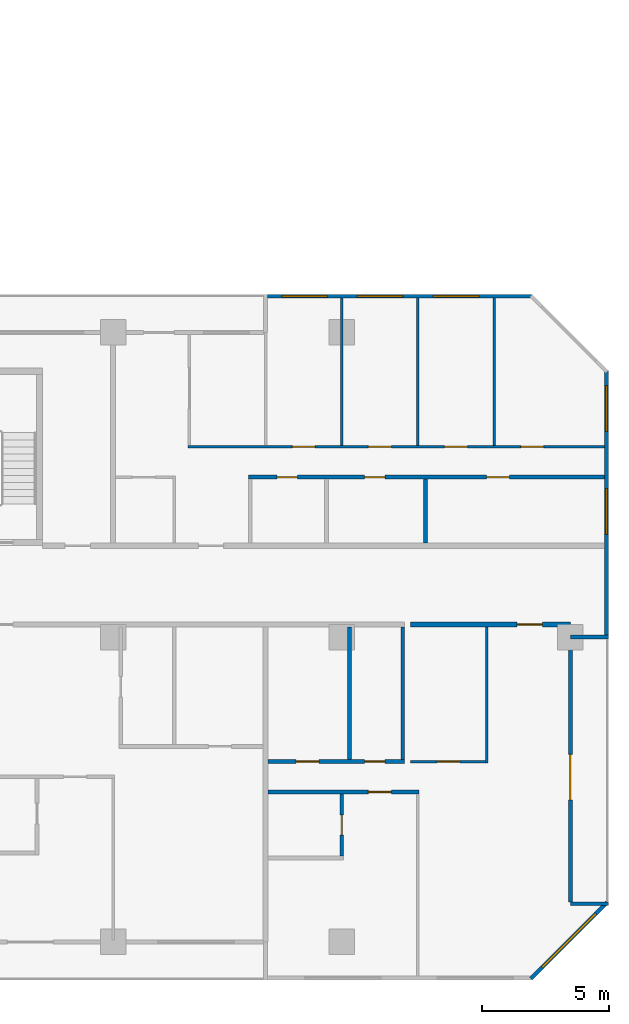
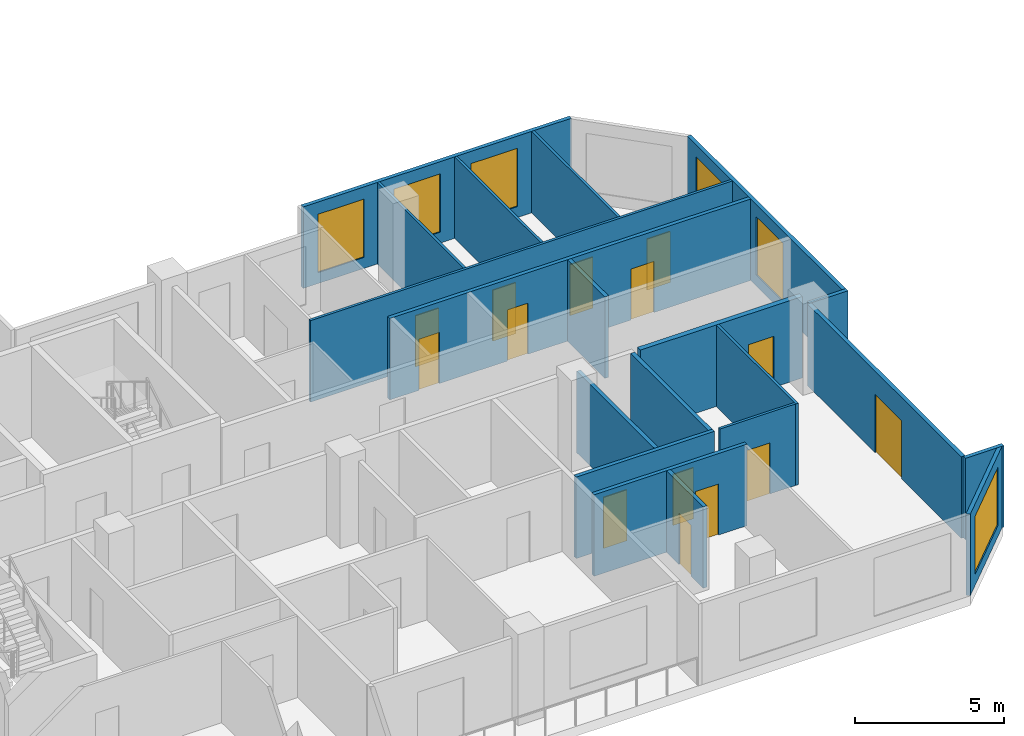
# One storey, part 12 of 15: 20 walls, 14 doors, 6 windows, 20 openings.
"""IFC4 building model written with IfcOpenShell, lengths in metres."""

from ifc_helpers import new_model, si_unit, direction, frame, frame_2d, origin, place, context, subcontext, project, spatial, rectangle, extrude, material, layer, layer_set, type_object, element, fill, save


model = new_model("IFC4")

# Units and contexts
model_context = context("Model", 3, precision=1e-05, world=origin(), true_north=direction((0.0, 1.0)))
body_context = subcontext(model_context, "Body", "Model", "MODEL_VIEW")
ifc_project = project(units=[si_unit("LENGTHUNIT", "METRE"), si_unit("AREAUNIT", "SQUARE_METRE"), si_unit("VOLUMEUNIT", "CUBIC_METRE"), si_unit("PLANEANGLEUNIT", "RADIAN"), si_unit("MASSUNIT", "GRAM", prefix="KILO")], contexts=[model_context])

# Site, building, storey
site_placement = place(None, origin())
site = spatial("IfcSite", under=ifc_project, at=site_placement, CompositionType="ELEMENT")
building_placement = place(site_placement, origin())
building = spatial("IfcBuilding", under=site, at=building_placement, Name="Chenar Terraces", CompositionType="ELEMENT")
storey_placement = place(building_placement, frame((0.0, 0.0, 95.64990234375)))
storey = spatial("IfcBuildingStorey", under=building, at=storey_placement, Name="L21", CompositionType="ELEMENT", Elevation=95.64990234375)

# Wall, opening, door
ifc_material_1 = material(Name="Gypsum board on steel studs with fire boards", Category="steel")
ifc_layer_1 = layer(ifc_material_1, 0.199951171875)
ifc_layer_set_1 = layer_set([ifc_layer_1], Name="Gypsum board on steel studs with fire boards")
wall_type_1 = type_object("IfcWallType", Name="Corridor wall 200", PredefinedType="PARTITIONING", material=ifc_layer_set_1)
wall_1_placement = place(storey_placement, frame((65.699951171875, 12.5, 0.0), z_axis=(0.0, 0.0, 1.0), x_axis=(1.0, 0.0, 0.0)))
wall_1 = element("IfcWall", 1, at=wall_1_placement, inside=storey, type_object=wall_type_1, Name="Partition L21-104", PredefinedType="PARTITIONING", context=body_context, shape_type="SweptSolid", body=[
    extrude(rectangle(XDim=6.300048828125, YDim=0.199951171875, at=frame_2d((3.14990234375, 0.0))), origin(), (0.0, 0.0, 1.0), 3.35009765625),
])
opening_1_placement = place(wall_1_placement, frame((4.199951171875, 0.0, 0.0)))
opening_1 = element("IfcOpeningElement", 2, at=opening_1_placement, cuts=wall_1, Name="Opening DL21-23", PredefinedType="OPENING", context=body_context, shape_type="SweptSolid", body=[
    extrude(rectangle(XDim=1.0, YDim=2.10009765625, at=frame_2d((0.5, 1.050048828125))), frame((0.0, 0.10986328125, 0.0), z_axis=(0.0, -1.0, 0.0), x_axis=(1.0, 0.0, 0.0)), (0.0, 0.0, 1.0), 0.219970703125),
])
ifc_material_2 = material(Name="Steel-framed fire-resisting door leaf", Category="steel")
door_type_1 = type_object("IfcDoorType", Name="Fire door FD30S 1000 x 2100", OperationType="SINGLE_SWING_LEFT", PredefinedType="DOOR", material=ifc_material_2)
door_1_placement = place(opening_1_placement, frame((1.0, 0.0, 0.0), z_axis=(0.0, 0.0, 1.0), x_axis=(-1.0, 0.0, 0.0)))
door_1 = element("IfcDoor", 3, at=door_1_placement, inside=storey, type_object=door_type_1, Name="Door DL21-23", OperationType="SINGLE_SWING_LEFT", OverallHeight=2.10009765625, OverallWidth=1.0, PredefinedType="DOOR", context=body_context, shape_type="SweptSolid", body=[
    extrude(rectangle(XDim=1.0, YDim=2.10009765625, at=frame_2d((0.5, 1.050048828125))), frame((0.0, 0.02490234375, 0.0), z_axis=(0.0, -1.0, 0.0), x_axis=(1.0, 0.0, 0.0)), (0.0, 0.0, 1.0), 0.050048828125),
])
fill(opening_1, door_1)

# Wall, openings, windows
ifc_material_3 = material(Name="Aluminium framed glazing", Category="aluminium")
ifc_layer_2 = layer(ifc_material_3, 0.14990234375)
ifc_layer_set_2 = layer_set([ifc_layer_2], Name="Aluminium framed glazing")
wall_type_2 = type_object("IfcWallType", Name="Glazed flush facade wall 150", PredefinedType="SOLIDWALL", material=ifc_layer_set_2)
wall_2_placement = place(storey_placement, frame((70.5, 25.425048828125, 0.0), z_axis=(0.0, 0.0, 1.0), x_axis=(-1.0, 0.0, 0.0)))
wall_2 = element("IfcWall", 4, at=wall_2_placement, inside=storey, type_object=wall_type_2, Name="Glazed flush facade wall", PredefinedType="SOLIDWALL", context=body_context, shape_type="SweptSolid", body=[
    extrude(rectangle(XDim=10.425048828125, YDim=0.14990234375, at=frame_2d((5.21240234375, 0.0))), origin(), (0.0, 0.0, 1.0), 3.35009765625),
])
opening_2_placement = place(wall_2_placement, frame((2.10009765625, 0.0, 0.449951171875)))
opening_2 = element("IfcOpeningElement", 5, at=opening_2_placement, cuts=wall_2, Name="Opening W180x240", PredefinedType="OPENING", context=body_context, shape_type="SweptSolid", body=[
    extrude(rectangle(XDim=1.800048828125, YDim=2.39990234375, at=frame_2d((0.89990234375, 1.199951171875))), frame((0.0, 0.0849609375, 0.0), z_axis=(0.0, -1.0, 0.0), x_axis=(1.0, 0.0, 0.0)), (0.0, 0.0, 1.0), 0.169921875),
])
opening_3_placement = place(wall_2_placement, frame((5.10009765625, 0.0, 0.449951171875)))
opening_3 = element("IfcOpeningElement", 6, at=opening_3_placement, cuts=wall_2, Name="Opening W180x240", PredefinedType="OPENING", context=body_context, shape_type="SweptSolid", body=[
    extrude(rectangle(XDim=1.800048828125, YDim=2.39990234375, at=frame_2d((0.89990234375, 1.199951171875))), frame((0.0, 0.0849609375, 0.0), z_axis=(0.0, -1.0, 0.0), x_axis=(1.0, 0.0, 0.0)), (0.0, 0.0, 1.0), 0.169921875),
])
opening_4_placement = place(wall_2_placement, frame((8.0625, 0.0, 0.449951171875)))
opening_4 = element("IfcOpeningElement", 7, at=opening_4_placement, cuts=wall_2, Name="Opening W180x240", PredefinedType="OPENING", context=body_context, shape_type="SweptSolid", body=[
    extrude(rectangle(XDim=1.800048828125, YDim=2.39990234375, at=frame_2d((0.89990234375, 1.199951171875))), frame((0.0, 0.0849609375, 0.0), z_axis=(0.0, -1.0, 0.0), x_axis=(1.0, 0.0, 0.0)), (0.0, 0.0, 1.0), 0.169921875),
])
ifc_material_4 = material(Name="Low emissivity double glazing, aluminium frame", Category="aluminium")
window_type_1 = type_object("IfcWindowType", Name="Fixed light 1800 x 2400", PartitioningType="SINGLE_PANEL", PredefinedType="WINDOW", material=ifc_material_4)
window_1_placement = place(opening_2_placement, origin())
window_1 = element("IfcWindow", 8, at=window_1_placement, inside=storey, type_object=window_type_1, Name="Window", OverallHeight=2.39990234375, OverallWidth=1.800048828125, PartitioningType="SINGLE_PANEL", PredefinedType="WINDOW", context=body_context, shape_type="SweptSolid", body=[
    extrude(rectangle(XDim=1.800048828125, YDim=2.39990234375, at=frame_2d((0.89990234375, 1.199951171875))), frame((0.0, 0.030029296875, 0.0), z_axis=(0.0, -1.0, 0.0), x_axis=(1.0, 0.0, 0.0)), (0.0, 0.0, 1.0), 0.06005859375),
])
fill(opening_2, window_1)
window_2_placement = place(opening_3_placement, origin())
window_2 = element("IfcWindow", 9, at=window_2_placement, inside=storey, type_object=window_type_1, Name="Window", OverallHeight=2.39990234375, OverallWidth=1.800048828125, PartitioningType="SINGLE_PANEL", PredefinedType="WINDOW", context=body_context, shape_type="SweptSolid", body=[
    extrude(rectangle(XDim=1.800048828125, YDim=2.39990234375, at=frame_2d((0.89990234375, 1.199951171875))), frame((0.0, 0.030029296875, 0.0), z_axis=(0.0, -1.0, 0.0), x_axis=(1.0, 0.0, 0.0)), (0.0, 0.0, 1.0), 0.06005859375),
])
fill(opening_3, window_2)
window_3_placement = place(opening_4_placement, origin())
window_3 = element("IfcWindow", 10, at=window_3_placement, inside=storey, type_object=window_type_1, Name="Window", OverallHeight=2.39990234375, OverallWidth=1.800048828125, PartitioningType="SINGLE_PANEL", PredefinedType="WINDOW", context=body_context, shape_type="SweptSolid", body=[
    extrude(rectangle(XDim=1.800048828125, YDim=2.39990234375, at=frame_2d((0.89990234375, 1.199951171875))), frame((0.0, 0.030029296875, 0.0), z_axis=(0.0, -1.0, 0.0), x_axis=(1.0, 0.0, 0.0)), (0.0, 0.0, 1.0), 0.06005859375),
])
fill(opening_4, window_3)

wall_3_placement = place(storey_placement, frame((73.425048828125, 12.074951171875, 0.0), z_axis=(0.0, 0.0, 1.0), x_axis=(0.0, 1.0, 0.0)))
wall_3 = element("IfcWall", 11, at=wall_3_placement, inside=storey, type_object=wall_type_2, Name="Glazed flush facade wall", PredefinedType="SOLIDWALL", context=body_context, shape_type="SweptSolid", body=[
    extrude(rectangle(XDim=10.425048828125, YDim=0.14990234375, at=frame_2d((5.21240234375, 0.0))), origin(), (0.0, 0.0, 1.0), 3.35009765625),
])
opening_5_placement = place(wall_3_placement, frame((3.97509765625, 0.0, 0.449951171875)))
opening_5 = element("IfcOpeningElement", 12, at=opening_5_placement, cuts=wall_3, Name="Opening W180x240", PredefinedType="OPENING", context=body_context, shape_type="SweptSolid", body=[
    extrude(rectangle(XDim=1.800048828125, YDim=2.39990234375, at=frame_2d((0.89990234375, 1.199951171875))), frame((0.0, 0.0849609375, 0.0), z_axis=(0.0, -1.0, 0.0), x_axis=(1.0, 0.0, 0.0)), (0.0, 0.0, 1.0), 0.169921875),
])
opening_6_placement = place(wall_3_placement, frame((8.02490234375, 0.0, 0.449951171875)))
opening_6 = element("IfcOpeningElement", 13, at=opening_6_placement, cuts=wall_3, Name="Opening W180x240", PredefinedType="OPENING", context=body_context, shape_type="SweptSolid", body=[
    extrude(rectangle(XDim=1.800048828125, YDim=2.39990234375, at=frame_2d((0.89990234375, 1.199951171875))), frame((0.0, 0.0849609375, 0.0), z_axis=(0.0, -1.0, 0.0), x_axis=(1.0, 0.0, 0.0)), (0.0, 0.0, 1.0), 0.169921875),
])
window_4_placement = place(opening_5_placement, origin())
window_4 = element("IfcWindow", 14, at=window_4_placement, inside=storey, type_object=window_type_1, Name="Window", OverallHeight=2.39990234375, OverallWidth=1.800048828125, PartitioningType="SINGLE_PANEL", PredefinedType="WINDOW", context=body_context, shape_type="SweptSolid", body=[
    extrude(rectangle(XDim=1.800048828125, YDim=2.39990234375, at=frame_2d((0.89990234375, 1.199951171875))), frame((0.0, 0.030029296875, 0.0), z_axis=(0.0, -1.0, 0.0), x_axis=(1.0, 0.0, 0.0)), (0.0, 0.0, 1.0), 0.06005859375),
])
fill(opening_5, window_4)
window_5_placement = place(opening_6_placement, origin())
window_5 = element("IfcWindow", 15, at=window_5_placement, inside=storey, type_object=window_type_1, Name="Window", OverallHeight=2.39990234375, OverallWidth=1.800048828125, PartitioningType="SINGLE_PANEL", PredefinedType="WINDOW", context=body_context, shape_type="SweptSolid", body=[
    extrude(rectangle(XDim=1.800048828125, YDim=2.39990234375, at=frame_2d((0.89990234375, 1.199951171875))), frame((0.0, 0.030029296875, 0.0), z_axis=(0.0, -1.0, 0.0), x_axis=(1.0, 0.0, 0.0)), (0.0, 0.0, 1.0), 0.06005859375),
])
fill(opening_6, window_5)

# Wall, opening, door
ifc_material_5 = material(Name="Aluminium framed glazing", Category="aluminium")
ifc_layer_3 = layer(ifc_material_5, 0.14990234375)
ifc_layer_set_3 = layer_set([ifc_layer_3], Name="Aluminium framed glazing")
wall_type_3 = type_object("IfcWallType", Name="Glazed loggia back wall 150", PredefinedType="SOLIDWALL", material=ifc_layer_set_3)
wall_4_placement = place(storey_placement, frame((72.0, 1.574951171875, 0.0), z_axis=(0.0, 0.0, 1.0), x_axis=(0.0, 1.0, 0.0)))
wall_4 = element("IfcWall", 16, at=wall_4_placement, inside=storey, type_object=wall_type_3, Name="Glazed loggia back wall", PredefinedType="SOLIDWALL", context=body_context, shape_type="SweptSolid", body=[
    extrude(rectangle(XDim=10.35009765625, YDim=0.14990234375, at=frame_2d((5.175048828125, 0.0))), origin(), (0.0, 0.0, 1.0), 3.35009765625),
])
opening_7_placement = place(wall_4_placement, frame((4.012451171875, 0.0, 0.0)))
opening_7 = element("IfcOpeningElement", 17, at=opening_7_placement, cuts=wall_4, Name="Opening DL21-G8", PredefinedType="OPENING", context=body_context, shape_type="SweptSolid", body=[
    extrude(rectangle(XDim=1.800048828125, YDim=2.39990234375, at=frame_2d((0.89990234375, 1.199951171875))), frame((0.0, 0.0849609375, 0.0), z_axis=(0.0, -1.0, 0.0), x_axis=(1.0, 0.0, 0.0)), (0.0, 0.0, 1.0), 0.169921875),
])
ifc_material_6 = material(Name="Low emissivity double glazing, aluminium frame", Category="aluminium")
door_type_2 = type_object("IfcDoorType", Name="Loggia glazed double door 1800 x 2400", OperationType="DOUBLE_DOOR_SINGLE_SWING", PredefinedType="DOOR", material=ifc_material_6)
door_2_placement = place(opening_7_placement, frame((1.800048828125, 0.0, 0.0), z_axis=(0.0, 0.0, 1.0), x_axis=(-1.0, 0.0, 0.0)))
door_2 = element("IfcDoor", 18, at=door_2_placement, inside=storey, type_object=door_type_2, Name="Loggia glazed door", OperationType="DOUBLE_DOOR_SINGLE_SWING", OverallHeight=2.39990234375, OverallWidth=1.800048828125, PredefinedType="DOOR", context=body_context, shape_type="SweptSolid", body=[
    extrude(rectangle(XDim=1.800048828125, YDim=2.39990234375, at=frame_2d((0.89990234375, 1.199951171875))), frame((0.0, 0.02490234375, 0.0), z_axis=(0.0, -1.0, 0.0), x_axis=(1.0, 0.0, 0.0)), (0.0, 0.0, 1.0), 0.050048828125),
])
fill(opening_7, door_2)

# Wall, openings, doors
ifc_material_7 = material(Name="Gypsum board on steel studs", Category="steel")
ifc_layer_4 = layer(ifc_material_7, 0.10009765625)
ifc_layer_set_4 = layer_set([ifc_layer_4], Name="Gypsum board on steel studs")
wall_type_4 = type_object("IfcWallType", Name="Gypsum partition 100", PredefinedType="PARTITIONING", material=ifc_layer_set_4)
wall_5_placement = place(storey_placement, frame((56.949951171875, 19.5, 0.0), z_axis=(0.0, 0.0, 1.0), x_axis=(1.0, 0.0, 0.0)))
wall_5 = element("IfcWall", 19, at=wall_5_placement, inside=storey, type_object=wall_type_4, Name="Partition L21-089", PredefinedType="PARTITIONING", context=body_context, shape_type="SweptSolid", body=[
    extrude(rectangle(XDim=16.400146484375, YDim=0.10009765625, at=frame_2d((8.2001953125, 0.0))), origin(), (0.0, 0.0, 1.0), 3.35009765625),
])
opening_8_placement = place(wall_5_placement, frame((4.10009765625, 0.0, 0.0)))
opening_8 = element("IfcOpeningElement", 20, at=opening_8_placement, cuts=wall_5, Name="Opening DL21-5", PredefinedType="OPENING", context=body_context, shape_type="SweptSolid", body=[
    extrude(rectangle(XDim=0.89990234375, YDim=2.10009765625, at=frame_2d((0.449951171875, 1.050048828125))), frame((0.0, 0.06005859375, 0.0), z_axis=(0.0, -1.0, 0.0), x_axis=(1.0, 0.0, 0.0)), (0.0, 0.0, 1.0), 0.1201171875),
])
opening_9_placement = place(wall_5_placement, frame((7.10009765625, 0.0, 0.0)))
opening_9 = element("IfcOpeningElement", 21, at=opening_9_placement, cuts=wall_5, Name="Opening DL21-6", PredefinedType="OPENING", context=body_context, shape_type="SweptSolid", body=[
    extrude(rectangle(XDim=0.89990234375, YDim=2.10009765625, at=frame_2d((0.449951171875, 1.050048828125))), frame((0.0, 0.06005859375, 0.0), z_axis=(0.0, -1.0, 0.0), x_axis=(1.0, 0.0, 0.0)), (0.0, 0.0, 1.0), 0.1201171875),
])
opening_10_placement = place(wall_5_placement, frame((10.10009765625, 0.0, 0.0)))
opening_10 = element("IfcOpeningElement", 22, at=opening_10_placement, cuts=wall_5, Name="Opening DL21-7", PredefinedType="OPENING", context=body_context, shape_type="SweptSolid", body=[
    extrude(rectangle(XDim=0.89990234375, YDim=2.10009765625, at=frame_2d((0.449951171875, 1.050048828125))), frame((0.0, 0.06005859375, 0.0), z_axis=(0.0, -1.0, 0.0), x_axis=(1.0, 0.0, 0.0)), (0.0, 0.0, 1.0), 0.1201171875),
])
opening_11_placement = place(wall_5_placement, frame((13.10009765625, 0.0, 0.0)))
opening_11 = element("IfcOpeningElement", 23, at=opening_11_placement, cuts=wall_5, Name="Opening DL21-12", PredefinedType="OPENING", context=body_context, shape_type="SweptSolid", body=[
    extrude(rectangle(XDim=0.89990234375, YDim=2.10009765625, at=frame_2d((0.449951171875, 1.050048828125))), frame((0.0, 0.06005859375, 0.0), z_axis=(0.0, -1.0, 0.0), x_axis=(1.0, 0.0, 0.0)), (0.0, 0.0, 1.0), 0.1201171875),
])
ifc_material_8 = material(Name="Veneered timber door leaf", Category="wood")
door_type_3 = type_object("IfcDoorType", Name="Door 900 x 2100", OperationType="SINGLE_SWING_LEFT", PredefinedType="DOOR", material=ifc_material_8)
door_3_placement = place(opening_8_placement, origin())
door_3 = element("IfcDoor", 24, at=door_3_placement, inside=storey, type_object=door_type_3, Name="Door DL21-5", OperationType="SINGLE_SWING_LEFT", OverallHeight=2.10009765625, OverallWidth=0.89990234375, PredefinedType="DOOR", context=body_context, shape_type="SweptSolid", body=[
    extrude(rectangle(XDim=0.89990234375, YDim=2.10009765625, at=frame_2d((0.449951171875, 1.050048828125))), frame((0.0, 0.02490234375, 0.0), z_axis=(0.0, -1.0, 0.0), x_axis=(1.0, 0.0, 0.0)), (0.0, 0.0, 1.0), 0.050048828125),
])
fill(opening_8, door_3)
door_4_placement = place(opening_9_placement, origin())
door_4 = element("IfcDoor", 25, at=door_4_placement, inside=storey, type_object=door_type_3, Name="Door DL21-6", OperationType="SINGLE_SWING_LEFT", OverallHeight=2.10009765625, OverallWidth=0.89990234375, PredefinedType="DOOR", context=body_context, shape_type="SweptSolid", body=[
    extrude(rectangle(XDim=0.89990234375, YDim=2.10009765625, at=frame_2d((0.449951171875, 1.050048828125))), frame((0.0, 0.02490234375, 0.0), z_axis=(0.0, -1.0, 0.0), x_axis=(1.0, 0.0, 0.0)), (0.0, 0.0, 1.0), 0.050048828125),
])
fill(opening_9, door_4)
door_5_placement = place(opening_10_placement, origin())
door_5 = element("IfcDoor", 26, at=door_5_placement, inside=storey, type_object=door_type_3, Name="Door DL21-7", OperationType="SINGLE_SWING_LEFT", OverallHeight=2.10009765625, OverallWidth=0.89990234375, PredefinedType="DOOR", context=body_context, shape_type="SweptSolid", body=[
    extrude(rectangle(XDim=0.89990234375, YDim=2.10009765625, at=frame_2d((0.449951171875, 1.050048828125))), frame((0.0, 0.02490234375, 0.0), z_axis=(0.0, -1.0, 0.0), x_axis=(1.0, 0.0, 0.0)), (0.0, 0.0, 1.0), 0.050048828125),
])
fill(opening_10, door_5)
door_6_placement = place(opening_11_placement, origin())
door_6 = element("IfcDoor", 27, at=door_6_placement, inside=storey, type_object=door_type_3, Name="Door DL21-12", OperationType="SINGLE_SWING_LEFT", OverallHeight=2.10009765625, OverallWidth=0.89990234375, PredefinedType="DOOR", context=body_context, shape_type="SweptSolid", body=[
    extrude(rectangle(XDim=0.89990234375, YDim=2.10009765625, at=frame_2d((0.449951171875, 1.050048828125))), frame((0.0, 0.02490234375, 0.0), z_axis=(0.0, -1.0, 0.0), x_axis=(1.0, 0.0, 0.0)), (0.0, 0.0, 1.0), 0.050048828125),
])
fill(opening_11, door_6)

# Wall
wall_6_placement = place(storey_placement, frame((63.0, 19.550048828125, 0.0), z_axis=(0.0, 0.0, 1.0), x_axis=(0.0, 1.0, 0.0)))
element("IfcWall", 28, at=wall_6_placement, inside=storey, type_object=wall_type_4, Name="Partition L21-100", PredefinedType="PARTITIONING", context=body_context, shape_type="SweptSolid", body=[
    extrude(rectangle(XDim=5.801025390625, YDim=0.10009765625, at=frame_2d((2.900390625, 0.0))), origin(), (0.0, 0.0, 1.0), 3.35009765625),
])

# Wall, opening, door
wall_7_placement = place(storey_placement, frame((65.699951171875, 7.10009765625, 0.0), z_axis=(0.0, 0.0, 1.0), x_axis=(1.0, 0.0, 0.0)))
wall_7 = element("IfcWall", 29, at=wall_7_placement, inside=storey, type_object=wall_type_4, Name="Partition L21-103", PredefinedType="PARTITIONING", context=body_context, shape_type="SweptSolid", body=[
    extrude(rectangle(XDim=2.949951171875, YDim=0.10009765625, at=frame_2d((1.47509765625, 0.0))), origin(), (0.0, 0.0, 1.0), 3.35009765625),
])
opening_12_placement = place(wall_7_placement, frame((1.050048828125, 0.0, 0.0)))
opening_12 = element("IfcOpeningElement", 30, at=opening_12_placement, cuts=wall_7, Name="Opening DL21-24", PredefinedType="OPENING", context=body_context, shape_type="SweptSolid", body=[
    extrude(rectangle(XDim=0.89990234375, YDim=2.10009765625, at=frame_2d((0.449951171875, 1.050048828125))), frame((0.0, 0.06005859375, 0.0), z_axis=(0.0, -1.0, 0.0), x_axis=(1.0, 0.0, 0.0)), (0.0, 0.0, 1.0), 0.1201171875),
])
door_7_placement = place(opening_12_placement, origin())
door_7 = element("IfcDoor", 31, at=door_7_placement, inside=storey, type_object=door_type_3, Name="Door DL21-24", OperationType="SINGLE_SWING_RIGHT", OverallHeight=2.10009765625, OverallWidth=0.89990234375, PredefinedType="DOOR", context=body_context, shape_type="SweptSolid", body=[
    extrude(rectangle(XDim=0.89990234375, YDim=2.10009765625, at=frame_2d((0.449951171875, 1.050048828125))), frame((0.0, 0.02490234375, 0.0), z_axis=(0.0, -1.0, 0.0), x_axis=(1.0, 0.0, 0.0)), (0.0, 0.0, 1.0), 0.050048828125),
])
fill(opening_12, door_7)

# Walls
wall_8_placement = place(storey_placement, frame((66.0, 19.550048828125, 0.0), z_axis=(0.0, 0.0, 1.0), x_axis=(0.0, 1.0, 0.0)))
element("IfcWall", 32, at=wall_8_placement, inside=storey, type_object=wall_type_4, Name="Partition L21-106", PredefinedType="PARTITIONING", context=body_context, shape_type="SweptSolid", body=[
    extrude(rectangle(XDim=5.801025390625, YDim=0.10009765625, at=frame_2d((2.900390625, 0.0))), origin(), (0.0, 0.0, 1.0), 3.35009765625),
])
wall_9_placement = place(storey_placement, frame((68.699951171875, 7.050048828125, 0.0), z_axis=(0.0, 0.0, 1.0), x_axis=(0.0, 1.0, 0.0)))
element("IfcWall", 33, at=wall_9_placement, inside=storey, type_object=wall_type_4, Name="Partition L21-108", PredefinedType="PARTITIONING", context=body_context, shape_type="SweptSolid", body=[
    extrude(rectangle(XDim=5.349853515625, YDim=0.10009765625, at=frame_2d((2.6748046875, 0.0))), origin(), (0.0, 0.0, 1.0), 3.35009765625),
])
wall_10_placement = place(storey_placement, frame((69.0, 19.550048828125, 0.0), z_axis=(0.0, 0.0, 1.0), x_axis=(0.0, 1.0, 0.0)))
element("IfcWall", 34, at=wall_10_placement, inside=storey, type_object=wall_type_4, Name="Partition L21-109", PredefinedType="PARTITIONING", context=body_context, shape_type="SweptSolid", body=[
    extrude(rectangle(XDim=5.800048828125, YDim=0.10009765625, at=frame_2d((2.89990234375, 0.0))), origin(), (0.0, 0.0, 1.0), 3.35009765625),
])
ifc_material_9 = material(Name="Terracotta cladding on insulated backing", Category="masonry")
ifc_layer_5 = layer(ifc_material_9, 0.14990234375)
ifc_layer_set_5 = layer_set([ifc_layer_5], Name="Terracotta cladding on insulated backing")
wall_type_5 = type_object("IfcWallType", Name="Loggia return wall 150", PredefinedType="SOLIDWALL", material=ifc_layer_set_5)
for number, where, z_axis, x_axis, name in (
    (35, (73.5, 1.5, 0.0), (0.0, 0.0, 1.0), (-1.0, 0.0, 0.0), "Loggia return wall"),
    (36, (73.5, 12.0, 0.0), (0.0, 0.0, 1.0), (-1.0, 0.0, 0.0), "Loggia return wall"),
):
    element("IfcWall", number, at=place(storey_placement, frame(where, z_axis=z_axis, x_axis=x_axis)), inside=storey, type_object=wall_type_5, Name=name, PredefinedType="SOLIDWALL", context=body_context, shape_type="SweptSolid", body=[
        extrude(rectangle(XDim=1.5, YDim=0.14990234375, at=frame_2d((0.75, 0.0))), origin(), (0.0, 0.0, 1.0), 3.35009765625),
    ])

# Wall, opening, window
ifc_material_10 = material(Name="Terracotta cladding on insulated backing", Category="masonry")
ifc_layer_6 = layer(ifc_material_10, 0.14990234375)
ifc_layer_set_6 = layer_set([ifc_layer_6], Name="Terracotta cladding on insulated backing")
wall_type_6 = type_object("IfcWallType", Name="Terracotta rainscreen wall 150", PredefinedType="SOLIDWALL", material=ifc_layer_set_6)
wall_11_placement = place(storey_placement, frame((70.447021484375, -1.447021484375, 0.0), z_axis=(0.0, 0.0, 1.0), x_axis=(0.707106781187, 0.707106781187, 0.0)))
wall_11 = element("IfcWall", 37, at=wall_11_placement, inside=storey, type_object=wall_type_6, Name="Terracotta rainscreen wall", PredefinedType="SOLIDWALL", context=body_context, shape_type="SweptSolid", body=[
    extrude(rectangle(XDim=4.24267578125, YDim=0.14990234375, at=frame_2d((2.121337890625, 0.0))), origin(), (0.0, 0.0, 1.0), 3.35009765625),
])
opening_13_placement = place(wall_11_placement, frame((0.621337890625, 0.0, 0.449951171875)))
opening_13 = element("IfcOpeningElement", 38, at=opening_13_placement, cuts=wall_11, Name="Opening W300x240", PredefinedType="OPENING", context=body_context, shape_type="SweptSolid", body=[
    extrude(rectangle(XDim=3.0, YDim=2.39990234375, at=frame_2d((1.5, 1.199951171875))), frame((0.0, 0.0849609375, 0.0), z_axis=(0.0, -1.0, 0.0), x_axis=(1.0, 0.0, 0.0)), (0.0, 0.0, 1.0), 0.169921875),
])
ifc_material_11 = material(Name="Low emissivity double glazing, aluminium frame", Category="aluminium")
window_type_2 = type_object("IfcWindowType", Name="Fixed light 3000 x 2400", PartitioningType="SINGLE_PANEL", PredefinedType="WINDOW", material=ifc_material_11)
window_6_placement = place(opening_13_placement, origin())
window_6 = element("IfcWindow", 39, at=window_6_placement, inside=storey, type_object=window_type_2, Name="Window", OverallHeight=2.39990234375, OverallWidth=3.0, PartitioningType="SINGLE_PANEL", PredefinedType="WINDOW", context=body_context, shape_type="SweptSolid", body=[
    extrude(rectangle(XDim=3.0, YDim=2.39990234375, at=frame_2d((1.5, 1.199951171875))), frame((0.0, 0.030029296875, 0.0), z_axis=(0.0, -1.0, 0.0), x_axis=(1.0, 0.0, 0.0)), (0.0, 0.0, 1.0), 0.06005859375),
])
fill(opening_13, window_6)

# Wall, openings, doors
ifc_material_12 = material(Name="Moisture-resistant gypsum board on steel studs", Category="steel")
ifc_layer_7 = layer(ifc_material_12, 0.14990234375)
ifc_layer_set_7 = layer_set([ifc_layer_7], Name="Moisture-resistant gypsum board on steel studs")
wall_type_7 = type_object("IfcWallType", Name="Wet-room partition 150", PredefinedType="PARTITIONING", material=ifc_layer_set_7)
wall_12_placement = place(storey_placement, frame((59.324951171875, 18.300048828125, 0.0), z_axis=(0.0, 0.0, 1.0), x_axis=(1.0, 0.0, 0.0)))
wall_12 = element("IfcWall", 40, at=wall_12_placement, inside=storey, type_object=wall_type_7, Name="Partition L21-091", PredefinedType="PARTITIONING", context=body_context, shape_type="SweptSolid", body=[
    extrude(rectangle(XDim=14.025146484375, YDim=0.14990234375, at=frame_2d((7.0126953125, 0.0))), origin(), (0.0, 0.0, 1.0), 3.35009765625),
])
opening_14_placement = place(wall_12_placement, frame((4.574951171875, 0.0, 0.0)))
opening_14 = element("IfcOpeningElement", 41, at=opening_14_placement, cuts=wall_12, Name="Opening DL21-4", PredefinedType="OPENING", context=body_context, shape_type="SweptSolid", body=[
    extrude(rectangle(XDim=0.800048828125, YDim=2.10009765625, at=frame_2d((0.39990234375, 1.050048828125))), frame((0.0, 0.0849609375, 0.0), z_axis=(0.0, -1.0, 0.0), x_axis=(1.0, 0.0, 0.0)), (0.0, 0.0, 1.0), 0.169921875),
])
opening_15_placement = place(wall_12_placement, frame((9.375, 0.0, 0.0)))
opening_15 = element("IfcOpeningElement", 42, at=opening_15_placement, cuts=wall_12, Name="Opening DL21-8", PredefinedType="OPENING", context=body_context, shape_type="SweptSolid", body=[
    extrude(rectangle(XDim=0.89990234375, YDim=2.10009765625, at=frame_2d((0.449951171875, 1.050048828125))), frame((0.0, 0.0849609375, 0.0), z_axis=(0.0, -1.0, 0.0), x_axis=(1.0, 0.0, 0.0)), (0.0, 0.0, 1.0), 0.169921875),
])
opening_16_placement = place(wall_12_placement, frame((1.125, 0.0, 0.0)))
opening_16 = element("IfcOpeningElement", 43, at=opening_16_placement, cuts=wall_12, Name="Opening DL21-13", PredefinedType="OPENING", context=body_context, shape_type="SweptSolid", body=[
    extrude(rectangle(XDim=0.800048828125, YDim=2.10009765625, at=frame_2d((0.39990234375, 1.050048828125))), frame((0.0, 0.0849609375, 0.0), z_axis=(0.0, -1.0, 0.0), x_axis=(1.0, 0.0, 0.0)), (0.0, 0.0, 1.0), 0.169921875),
])
ifc_material_13 = material(Name="Veneered timber door leaf", Category="wood")
door_type_4 = type_object("IfcDoorType", Name="Door 800 x 2100", OperationType="SINGLE_SWING_LEFT", PredefinedType="DOOR", material=ifc_material_13)
door_8_placement = place(opening_14_placement, frame((0.800048828125, 0.0, 0.0), z_axis=(0.0, 0.0, 1.0), x_axis=(-1.0, 0.0, 0.0)))
door_8 = element("IfcDoor", 44, at=door_8_placement, inside=storey, type_object=door_type_4, Name="Door DL21-4", OperationType="SINGLE_SWING_RIGHT", OverallHeight=2.10009765625, OverallWidth=0.800048828125, PredefinedType="DOOR", context=body_context, shape_type="SweptSolid", body=[
    extrude(rectangle(XDim=0.800048828125, YDim=2.10009765625, at=frame_2d((0.39990234375, 1.050048828125))), frame((0.0, 0.02490234375, 0.0), z_axis=(0.0, -1.0, 0.0), x_axis=(1.0, 0.0, 0.0)), (0.0, 0.0, 1.0), 0.050048828125),
])
fill(opening_14, door_8)
door_9_placement = place(opening_16_placement, frame((0.800048828125, 0.0, 0.0), z_axis=(0.0, 0.0, 1.0), x_axis=(-1.0, 0.0, 0.0)))
door_9 = element("IfcDoor", 45, at=door_9_placement, inside=storey, type_object=door_type_4, Name="Door DL21-13", OperationType="SINGLE_SWING_RIGHT", OverallHeight=2.10009765625, OverallWidth=0.800048828125, PredefinedType="DOOR", context=body_context, shape_type="SweptSolid", body=[
    extrude(rectangle(XDim=0.800048828125, YDim=2.10009765625, at=frame_2d((0.39990234375, 1.050048828125))), frame((0.0, 0.02490234375, 0.0), z_axis=(0.0, -1.0, 0.0), x_axis=(1.0, 0.0, 0.0)), (0.0, 0.0, 1.0), 0.050048828125),
])
fill(opening_16, door_9)
door_10_placement = place(opening_15_placement, frame((0.89990234375, 0.0, 0.0), z_axis=(0.0, 0.0, 1.0), x_axis=(-1.0, 0.0, 0.0)))
door_10 = element("IfcDoor", 46, at=door_10_placement, inside=storey, type_object=door_type_3, Name="Door DL21-8", OperationType="SINGLE_SWING_LEFT", OverallHeight=2.10009765625, OverallWidth=0.89990234375, PredefinedType="DOOR", context=body_context, shape_type="SweptSolid", body=[
    extrude(rectangle(XDim=0.89990234375, YDim=2.10009765625, at=frame_2d((0.449951171875, 1.050048828125))), frame((0.0, 0.02490234375, 0.0), z_axis=(0.0, -1.0, 0.0), x_axis=(1.0, 0.0, 0.0)), (0.0, 0.0, 1.0), 0.050048828125),
])
fill(opening_15, door_10)

# Wall, opening, door
wall_13_placement = place(storey_placement, frame((60.10009765625, 5.89990234375, 0.0), z_axis=(0.0, 0.0, 1.0), x_axis=(1.0, 0.0, 0.0)))
wall_13 = element("IfcWall", 47, at=wall_13_placement, inside=storey, type_object=wall_type_7, Name="Partition L21-096", PredefinedType="PARTITIONING", context=body_context, shape_type="SweptSolid", body=[
    extrude(rectangle(XDim=5.949951171875, YDim=0.14990234375, at=frame_2d((2.97509765625, 0.0))), origin(), (0.0, 0.0, 1.0), 3.35009765625),
])
opening_17_placement = place(wall_13_placement, frame((3.949951171875, 0.0, 0.0)))
opening_17 = element("IfcOpeningElement", 48, at=opening_17_placement, cuts=wall_13, Name="Opening DL21-20", PredefinedType="OPENING", context=body_context, shape_type="SweptSolid", body=[
    extrude(rectangle(XDim=0.89990234375, YDim=2.10009765625, at=frame_2d((0.449951171875, 1.050048828125))), frame((0.0, 0.0849609375, 0.0), z_axis=(0.0, -1.0, 0.0), x_axis=(1.0, 0.0, 0.0)), (0.0, 0.0, 1.0), 0.169921875),
])
door_11_placement = place(opening_17_placement, frame((0.89990234375, 0.0, 0.0), z_axis=(0.0, 0.0, 1.0), x_axis=(-1.0, 0.0, 0.0)))
door_11 = element("IfcDoor", 49, at=door_11_placement, inside=storey, type_object=door_type_3, Name="Door DL21-20", OperationType="SINGLE_SWING_LEFT", OverallHeight=2.10009765625, OverallWidth=0.89990234375, PredefinedType="DOOR", context=body_context, shape_type="SweptSolid", body=[
    extrude(rectangle(XDim=0.89990234375, YDim=2.10009765625, at=frame_2d((0.449951171875, 1.050048828125))), frame((0.0, 0.02490234375, 0.0), z_axis=(0.0, -1.0, 0.0), x_axis=(1.0, 0.0, 0.0)), (0.0, 0.0, 1.0), 0.050048828125),
])
fill(opening_17, door_11)

# Wall, openings, doors
wall_14_placement = place(storey_placement, frame((60.10009765625, 7.10009765625, 0.0), z_axis=(0.0, 0.0, 1.0), x_axis=(1.0, 0.0, 0.0)))
wall_14 = element("IfcWall", 50, at=wall_14_placement, inside=storey, type_object=wall_type_7, Name="Partition L21-097", PredefinedType="PARTITIONING", context=body_context, shape_type="SweptSolid", body=[
    extrude(rectangle(XDim=5.375, YDim=0.14990234375, at=frame_2d((2.6875, 0.0))), origin(), (0.0, 0.0, 1.0), 3.35009765625),
])
opening_18_placement = place(wall_14_placement, frame((3.800048828125, 0.0, 0.0)))
opening_18 = element("IfcOpeningElement", 51, at=opening_18_placement, cuts=wall_14, Name="Opening DL21-19", PredefinedType="OPENING", context=body_context, shape_type="SweptSolid", body=[
    extrude(rectangle(XDim=0.800048828125, YDim=2.10009765625, at=frame_2d((0.39990234375, 1.050048828125))), frame((0.0, 0.0849609375, 0.0), z_axis=(0.0, -1.0, 0.0), x_axis=(1.0, 0.0, 0.0)), (0.0, 0.0, 1.0), 0.169921875),
])
opening_19_placement = place(wall_14_placement, frame((1.10009765625, 0.0, 0.0)))
opening_19 = element("IfcOpeningElement", 52, at=opening_19_placement, cuts=wall_14, Name="Opening DL21-22", PredefinedType="OPENING", context=body_context, shape_type="SweptSolid", body=[
    extrude(rectangle(XDim=0.89990234375, YDim=2.10009765625, at=frame_2d((0.449951171875, 1.050048828125))), frame((0.0, 0.0849609375, 0.0), z_axis=(0.0, -1.0, 0.0), x_axis=(1.0, 0.0, 0.0)), (0.0, 0.0, 1.0), 0.169921875),
])
door_12_placement = place(opening_18_placement, origin())
door_12 = element("IfcDoor", 53, at=door_12_placement, inside=storey, type_object=door_type_4, Name="Door DL21-19", OperationType="SINGLE_SWING_LEFT", OverallHeight=2.10009765625, OverallWidth=0.800048828125, PredefinedType="DOOR", context=body_context, shape_type="SweptSolid", body=[
    extrude(rectangle(XDim=0.800048828125, YDim=2.10009765625, at=frame_2d((0.39990234375, 1.050048828125))), frame((0.0, 0.02490234375, 0.0), z_axis=(0.0, -1.0, 0.0), x_axis=(1.0, 0.0, 0.0)), (0.0, 0.0, 1.0), 0.050048828125),
])
fill(opening_18, door_12)
door_13_placement = place(opening_19_placement, origin())
door_13 = element("IfcDoor", 54, at=door_13_placement, inside=storey, type_object=door_type_3, Name="Door DL21-22", OperationType="SINGLE_SWING_LEFT", OverallHeight=2.10009765625, OverallWidth=0.89990234375, PredefinedType="DOOR", context=body_context, shape_type="SweptSolid", body=[
    extrude(rectangle(XDim=0.89990234375, YDim=2.10009765625, at=frame_2d((0.449951171875, 1.050048828125))), frame((0.0, 0.02490234375, 0.0), z_axis=(0.0, -1.0, 0.0), x_axis=(1.0, 0.0, 0.0)), (0.0, 0.0, 1.0), 0.050048828125),
])
fill(opening_19, door_13)

# Wall, opening, door
wall_15_placement = place(storey_placement, frame((63.0, 3.375, 0.0), z_axis=(0.0, 0.0, 1.0), x_axis=(0.0, 1.0, 0.0)))
wall_15 = element("IfcWall", 55, at=wall_15_placement, inside=storey, type_object=wall_type_7, Name="Partition L21-099", PredefinedType="PARTITIONING", context=body_context, shape_type="SweptSolid", body=[
    extrude(rectangle(XDim=2.449951171875, YDim=0.14990234375, at=frame_2d((1.22509765625, 0.0))), origin(), (0.0, 0.0, 1.0), 3.35009765625),
])
opening_20_placement = place(wall_15_placement, frame((0.824951171875, 0.0, 0.0)))
opening_20 = element("IfcOpeningElement", 56, at=opening_20_placement, cuts=wall_15, Name="Opening DL21-21", PredefinedType="OPENING", context=body_context, shape_type="SweptSolid", body=[
    extrude(rectangle(XDim=0.800048828125, YDim=2.10009765625, at=frame_2d((0.39990234375, 1.050048828125))), frame((0.0, 0.0849609375, 0.0), z_axis=(0.0, -1.0, 0.0), x_axis=(1.0, 0.0, 0.0)), (0.0, 0.0, 1.0), 0.169921875),
])
door_14_placement = place(opening_20_placement, origin())
door_14 = element("IfcDoor", 57, at=door_14_placement, inside=storey, type_object=door_type_4, Name="Door DL21-21", OperationType="SINGLE_SWING_RIGHT", OverallHeight=2.10009765625, OverallWidth=0.800048828125, PredefinedType="DOOR", context=body_context, shape_type="SweptSolid", body=[
    extrude(rectangle(XDim=0.800048828125, YDim=2.10009765625, at=frame_2d((0.39990234375, 1.050048828125))), frame((0.0, 0.02490234375, 0.0), z_axis=(0.0, -1.0, 0.0), x_axis=(1.0, 0.0, 0.0)), (0.0, 0.0, 1.0), 0.050048828125),
])
fill(opening_20, door_14)

# Walls
for number, where, z_axis, x_axis, name in (
    (58, (63.300048828125, 7.175048828125, 0.0), (0.0, 0.0, 1.0), (0.0, 1.0, 0.0), "Partition L21-101"),
    (59, (65.39990234375, 7.175048828125, 0.0), (0.0, 0.0, 1.0), (0.0, 1.0, 0.0), "Partition L21-102"),
):
    element("IfcWall", number, at=place(storey_placement, frame(where, z_axis=z_axis, x_axis=x_axis)), inside=storey, type_object=wall_type_7, Name=name, PredefinedType="PARTITIONING", context=body_context, shape_type="SweptSolid", body=[
        extrude(rectangle(XDim=5.224853515625, YDim=0.14990234375, at=frame_2d((2.6123046875, 0.0))), origin(), (0.0, 0.0, 1.0), 3.35009765625),
    ])
wall_16_placement = place(storey_placement, frame((66.300048828125, 15.699951171875, 0.0), z_axis=(0.0, 0.0, 1.0), x_axis=(0.0, 1.0, 0.0)))
element("IfcWall", 60, at=wall_16_placement, inside=storey, type_object=wall_type_7, Name="Partition L21-107", PredefinedType="PARTITIONING", context=body_context, shape_type="SweptSolid", body=[
    extrude(rectangle(XDim=2.525146484375, YDim=0.14990234375, at=frame_2d((1.2626953125, 0.0))), origin(), (0.0, 0.0, 1.0), 3.35009765625),
])

save(model, "model.ifc")
